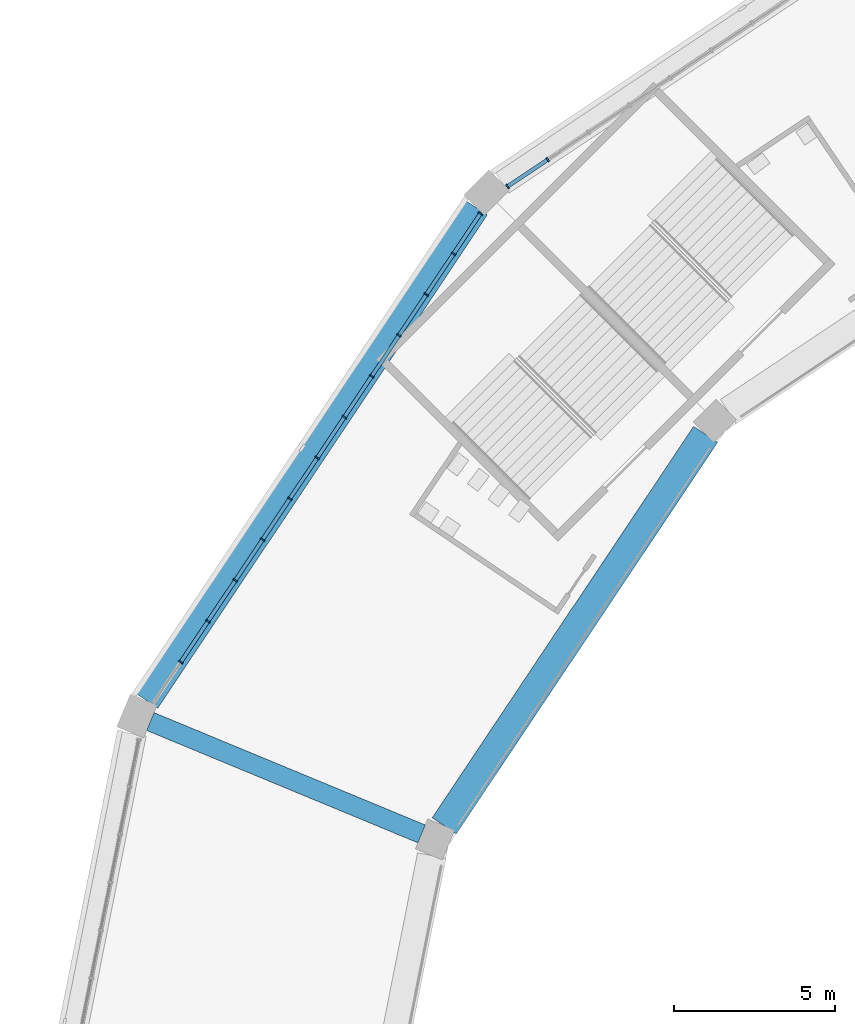
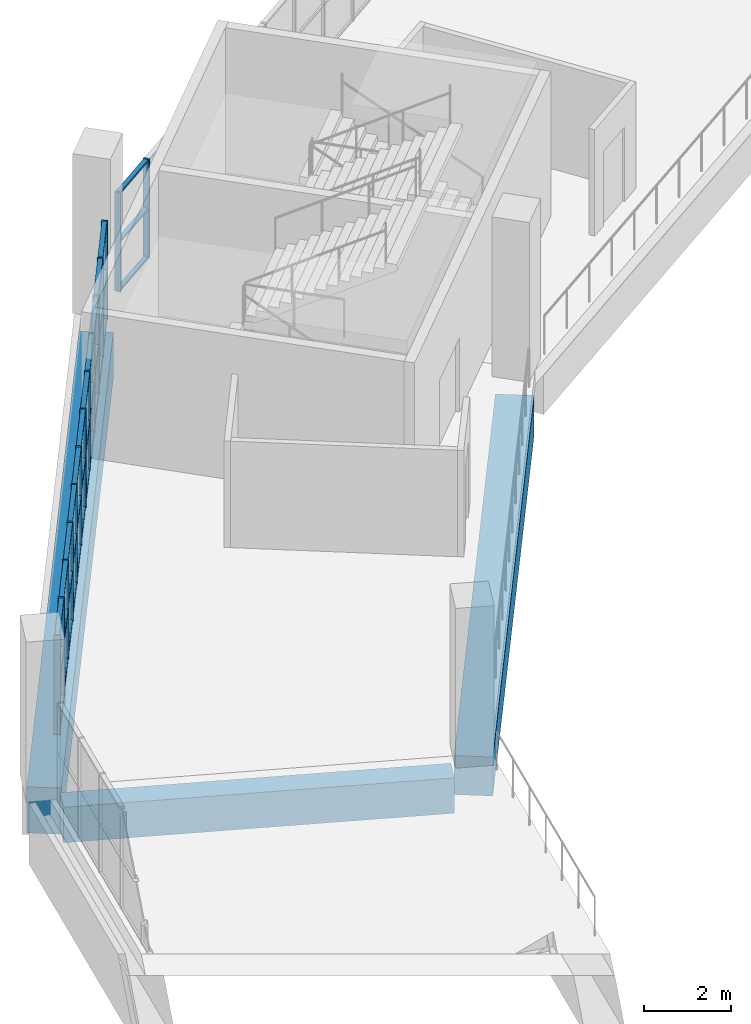
# One storey, part 29 of 177: 50 members, 3 beams, 2 elements without a shape of their own.
"""IFC4 building model written with IfcOpenShell, lengths in metres."""

from ifc_helpers import new_model, si_unit, direction, frame, origin, origin_2d, place, context, subcontext, project, spatial, rectangle, extrude, material, material_profile, profile_set, type_object, element, aggregate, save


model = new_model("IFC4")

# Units and contexts
model_context = context("Model", 3, precision=1e-05, world=origin(), true_north=direction((0.0, 1.0)))
body_context = subcontext(model_context, "Body", "Model", "MODEL_VIEW")
ifc_project = project(units=[si_unit("LENGTHUNIT", "METRE"), si_unit("AREAUNIT", "SQUARE_METRE"), si_unit("VOLUMEUNIT", "CUBIC_METRE"), si_unit("PLANEANGLEUNIT", "RADIAN"), si_unit("MASSUNIT", "GRAM", prefix="KILO")], contexts=[model_context])

# Site, building, storey
site_placement = place(None, origin())
site = spatial("IfcSite", under=ifc_project, at=site_placement, CompositionType="ELEMENT")
building_placement = place(site_placement, origin())
building = spatial("IfcBuilding", under=site, at=building_placement, Name="Ogive Plaza Stadium", CompositionType="ELEMENT")
storey_placement = place(building_placement, frame((0.0, 0.0, 18.0)))
storey = spatial("IfcBuildingStorey", under=building, at=storey_placement, Name="L04", CompositionType="ELEMENT", Elevation=18.0)

# Curtain wall, members
ifc_material_1 = material(Name="Bronze-anodised aluminium with laminated glass", Category="aluminium")
curtain_wall_type = type_object("IfcCurtainWallType", Name="Lancet curtain wall", PredefinedType="NOTDEFINED", material=ifc_material_1)
curtain_wall_1_placement = place(storey_placement, origin())
curtain_wall_1 = element("IfcCurtainWall", 1, at=curtain_wall_1_placement, inside=storey, type_object=curtain_wall_type, Name="CURTAIN WALL B29 L04", PredefinedType="NOTDEFINED")
ifc_material_2 = material(Name="Bronze-anodised aluminium", Category="aluminium")
ifc_material_profile_1 = material_profile(ifc_material_2, rectangle(XDim=0.14990234375, YDim=0.050048828125, at=origin_2d()), Name="AL 150x50")
ifc_profile_set_1 = profile_set([ifc_material_profile_1], Name="Bronze-anodised aluminium")
member_type_1 = type_object("IfcMemberType", Name="Curtain wall mullion 50x150", PredefinedType="MULLION", material=ifc_profile_set_1)
member_1_placement = place(storey_placement, frame((-78.837158203125, 73.3046875, 0.0), z_axis=(0.0, 0.0, 1.0), x_axis=(-0.831469612303, 0.55557023302, 0.0)))
member_1 = element("IfcMember", 2, at=member_1_placement, type_object=member_type_1, Name="CW-B29-L04 mullion 2", PredefinedType="MULLION", context=body_context, shape_type="SweptSolid", body=[
    extrude(rectangle(XDim=0.14990234375, YDim=0.050048828125, at=origin_2d()), origin(), (0.0, 0.0, 1.0), 2.7900390625),
])
member_2_placement = place(storey_placement, frame((-77.991455078125, 74.570556640625, 0.0), z_axis=(0.0, 0.0, 1.0), x_axis=(-0.831469612303, 0.55557023302, 0.0)))
member_2 = element("IfcMember", 3, at=member_2_placement, type_object=member_type_1, Name="CW-B29-L04 mullion 3", PredefinedType="MULLION", context=body_context, shape_type="SweptSolid", body=[
    extrude(rectangle(XDim=0.14990234375, YDim=0.050048828125, at=origin_2d()), origin(), (0.0, 0.0, 1.0), 2.7900390625),
])
member_3_placement = place(storey_placement, frame((-77.145751953125, 75.836181640625, 0.0), z_axis=(0.0, 0.0, 1.0), x_axis=(-0.831469612303, 0.55557023302, 0.0)))
member_3 = element("IfcMember", 4, at=member_3_placement, type_object=member_type_1, Name="CW-B29-L04 mullion 4", PredefinedType="MULLION", context=body_context, shape_type="SweptSolid", body=[
    extrude(rectangle(XDim=0.14990234375, YDim=0.050048828125, at=origin_2d()), origin(), (0.0, 0.0, 1.0), 2.7900390625),
])
member_4_placement = place(storey_placement, frame((-76.2998046875, 77.10205078125, 0.0), z_axis=(0.0, 0.0, 1.0), x_axis=(-0.831469612303, 0.55557023302, 0.0)))
member_4 = element("IfcMember", 5, at=member_4_placement, type_object=member_type_1, Name="CW-B29-L04 mullion 5", PredefinedType="MULLION", context=body_context, shape_type="SweptSolid", body=[
    extrude(rectangle(XDim=0.14990234375, YDim=0.050048828125, at=origin_2d()), origin(), (0.0, 0.0, 1.0), 2.7900390625),
])
member_5_placement = place(storey_placement, frame((-75.4541015625, 78.367919921875, 0.0), z_axis=(0.0, 0.0, 1.0), x_axis=(-0.831469612303, 0.55557023302, 0.0)))
member_5 = element("IfcMember", 6, at=member_5_placement, type_object=member_type_1, Name="CW-B29-L04 mullion 6", PredefinedType="MULLION", context=body_context, shape_type="SweptSolid", body=[
    extrude(rectangle(XDim=0.14990234375, YDim=0.050048828125, at=origin_2d()), origin(), (0.0, 0.0, 1.0), 2.7900390625),
])
member_6_placement = place(storey_placement, frame((-74.6083984375, 79.633544921875, 0.0), z_axis=(0.0, 0.0, 1.0), x_axis=(-0.831469612303, 0.55557023302, 0.0)))
member_6 = element("IfcMember", 7, at=member_6_placement, type_object=member_type_1, Name="CW-B29-L04 mullion 7", PredefinedType="MULLION", context=body_context, shape_type="SweptSolid", body=[
    extrude(rectangle(XDim=0.14990234375, YDim=0.050048828125, at=origin_2d()), origin(), (0.0, 0.0, 1.0), 2.7900390625),
])
member_7_placement = place(storey_placement, frame((-73.7626953125, 80.8994140625, 0.0), z_axis=(0.0, 0.0, 1.0), x_axis=(-0.831469612303, 0.55557023302, 0.0)))
member_7 = element("IfcMember", 8, at=member_7_placement, type_object=member_type_1, Name="CW-B29-L04 mullion 8", PredefinedType="MULLION", context=body_context, shape_type="SweptSolid", body=[
    extrude(rectangle(XDim=0.14990234375, YDim=0.050048828125, at=origin_2d()), origin(), (0.0, 0.0, 1.0), 2.7900390625),
])
member_8_placement = place(storey_placement, frame((-72.916748046875, 82.165283203125, 0.0), z_axis=(0.0, 0.0, 1.0), x_axis=(-0.831469612303, 0.55557023302, 0.0)))
member_8 = element("IfcMember", 9, at=member_8_placement, type_object=member_type_1, Name="CW-B29-L04 mullion 9", PredefinedType="MULLION", context=body_context, shape_type="SweptSolid", body=[
    extrude(rectangle(XDim=0.14990234375, YDim=0.050048828125, at=origin_2d()), origin(), (0.0, 0.0, 1.0), 2.7900390625),
])
member_9_placement = place(storey_placement, frame((-72.071044921875, 83.430908203125, 0.0), z_axis=(0.0, 0.0, 1.0), x_axis=(-0.831469612303, 0.55557023302, 0.0)))
member_9 = element("IfcMember", 10, at=member_9_placement, type_object=member_type_1, Name="CW-B29-L04 mullion 10", PredefinedType="MULLION", context=body_context, shape_type="SweptSolid", body=[
    extrude(rectangle(XDim=0.14990234375, YDim=0.050048828125, at=origin_2d()), origin(), (0.0, 0.0, 1.0), 2.7900390625),
])
member_10_placement = place(storey_placement, frame((-71.225341796875, 84.69677734375, 0.0), z_axis=(0.0, 0.0, 1.0), x_axis=(-0.831469612303, 0.55557023302, 0.0)))
member_10 = element("IfcMember", 11, at=member_10_placement, type_object=member_type_1, Name="CW-B29-L04 mullion 11", PredefinedType="MULLION", context=body_context, shape_type="SweptSolid", body=[
    extrude(rectangle(XDim=0.14990234375, YDim=0.050048828125, at=origin_2d()), origin(), (0.0, 0.0, 1.0), 2.7900390625),
])
member_11_placement = place(storey_placement, frame((-70.379638671875, 85.962646484375, 0.0), z_axis=(0.0, 0.0, 1.0), x_axis=(-0.831469612303, 0.55557023302, 0.0)))
member_11 = element("IfcMember", 12, at=member_11_placement, type_object=member_type_1, Name="CW-B29-L04 mullion 12", PredefinedType="MULLION", context=body_context, shape_type="SweptSolid", body=[
    extrude(rectangle(XDim=0.14990234375, YDim=0.050048828125, at=origin_2d()), origin(), (0.0, 0.0, 1.0), 2.7900390625),
])
member_12_placement = place(storey_placement, frame((-69.547607421875, 87.20751953125, 0.0), z_axis=(0.0, 0.0, 1.0), x_axis=(-0.831469612303, 0.55557023302, 0.0)))
member_12 = element("IfcMember", 13, at=member_12_placement, type_object=member_type_1, Name="CW-B29-L04 mullion 13", PredefinedType="MULLION", context=body_context, shape_type="SweptSolid", body=[
    extrude(rectangle(XDim=0.14990234375, YDim=0.050048828125, at=origin_2d()), origin(), (0.0, 0.0, 1.0), 2.7900390625),
])

curtain_wall_2_placement = place(storey_placement, origin())
curtain_wall_2 = element("IfcCurtainWall", 14, at=curtain_wall_2_placement, inside=storey, type_object=curtain_wall_type, Name="CURTAIN WALL B30 L04", PredefinedType="NOTDEFINED")
member_13_placement = place(storey_placement, frame((-68.70751953125, 88.047607421875, 0.0), z_axis=(0.0, 0.0, 1.0), x_axis=(-0.55557023302, 0.831469612303, 0.0)))
member_13 = element("IfcMember", 15, at=member_13_placement, type_object=member_type_1, Name="CW-B30-L04 mullion 1", PredefinedType="MULLION", context=body_context, shape_type="SweptSolid", body=[
    extrude(rectangle(XDim=0.14990234375, YDim=0.050048828125, at=origin_2d()), origin(), (0.0, 0.0, 1.0), 2.7900390625),
])
member_14_placement = place(storey_placement, frame((-67.462646484375, 88.879638671875, 0.0), z_axis=(0.0, 0.0, 1.0), x_axis=(-0.55557023302, 0.831469612303, 0.0)))
member_14 = element("IfcMember", 16, at=member_14_placement, type_object=member_type_1, Name="CW-B30-L04 mullion 2", PredefinedType="MULLION", context=body_context, shape_type="SweptSolid", body=[
    extrude(rectangle(XDim=0.14990234375, YDim=0.050048828125, at=origin_2d()), origin(), (0.0, 0.0, 1.0), 2.7900390625),
])

# Member
ifc_material_3 = material(Name="Bronze-anodised aluminium", Category="aluminium")
ifc_material_profile_2 = material_profile(ifc_material_3, rectangle(XDim=0.1201171875, YDim=0.050048828125, at=origin_2d()), Name="AL 120x50")
ifc_profile_set_2 = profile_set([ifc_material_profile_2], Name="Bronze-anodised aluminium")
member_type_2 = type_object("IfcMemberType", Name="Curtain wall transom 50x120", PredefinedType="USERDEFINED", material=ifc_profile_set_2)
member_15_placement = place(storey_placement, frame((-78.8232421875, 73.325439453125, 0.02490234375), z_axis=(0.555465240925, 0.83153975619, 0.0), x_axis=(-0.83153975619, 0.555465240925, 0.0)))
member_15 = element("IfcMember", 17, at=member_15_placement, type_object=member_type_2, Name="CW-B29-L04 transom 2.1", ObjectType="TRANSOM", PredefinedType="USERDEFINED", context=body_context, shape_type="SweptSolid", body=[
    extrude(rectangle(XDim=0.1201171875, YDim=0.050048828125, at=origin_2d()), origin(), (0.0, 0.0, 1.0), 1.472412109375),
])

member_16_placement = place(storey_placement, frame((-78.8232421875, 73.325439453125, 1.39501953125), z_axis=(0.555465240925, 0.83153975619, 0.0), x_axis=(-0.83153975619, 0.555465240925, 0.0)))
member_16 = element("IfcMember", 18, at=member_16_placement, type_object=member_type_2, Name="CW-B29-L04 transom 2.2", ObjectType="TRANSOM", PredefinedType="USERDEFINED", context=body_context, shape_type="SweptSolid", body=[
    extrude(rectangle(XDim=0.1201171875, YDim=0.050048828125, at=origin_2d()), origin(), (0.0, 0.0, 1.0), 1.472412109375),
])

member_17_placement = place(storey_placement, frame((-78.8232421875, 73.325439453125, 2.764892578125), z_axis=(0.555465240925, 0.83153975619, 0.0), x_axis=(-0.83153975619, 0.555465240925, 0.0)))
member_17 = element("IfcMember", 19, at=member_17_placement, type_object=member_type_2, Name="CW-B29-L04 transom 2.3", ObjectType="TRANSOM", PredefinedType="USERDEFINED", context=body_context, shape_type="SweptSolid", body=[
    extrude(rectangle(XDim=0.1201171875, YDim=0.050048828125, at=origin_2d()), origin(), (0.0, 0.0, 1.0), 1.472412109375),
])

member_18_placement = place(storey_placement, frame((-77.9775390625, 74.59130859375, 0.02490234375), z_axis=(0.555541835587, 0.831488586159, 0.0), x_axis=(-0.831488586159, 0.555541835587, 0.0)))
member_18 = element("IfcMember", 20, at=member_18_placement, type_object=member_type_2, Name="CW-B29-L04 transom 3.1", ObjectType="TRANSOM", PredefinedType="USERDEFINED", context=body_context, shape_type="SweptSolid", body=[
    extrude(rectangle(XDim=0.1201171875, YDim=0.050048828125, at=origin_2d()), origin(), (0.0, 0.0, 1.0), 1.47216796875),
])

member_19_placement = place(storey_placement, frame((-77.9775390625, 74.59130859375, 1.39501953125), z_axis=(0.555541835587, 0.831488586159, 0.0), x_axis=(-0.831488586159, 0.555541835587, 0.0)))
member_19 = element("IfcMember", 21, at=member_19_placement, type_object=member_type_2, Name="CW-B29-L04 transom 3.2", ObjectType="TRANSOM", PredefinedType="USERDEFINED", context=body_context, shape_type="SweptSolid", body=[
    extrude(rectangle(XDim=0.1201171875, YDim=0.050048828125, at=origin_2d()), origin(), (0.0, 0.0, 1.0), 1.47216796875),
])

member_20_placement = place(storey_placement, frame((-77.9775390625, 74.59130859375, 2.764892578125), z_axis=(0.555541835587, 0.831488586159, 0.0), x_axis=(-0.831488586159, 0.555541835587, 0.0)))
member_20 = element("IfcMember", 22, at=member_20_placement, type_object=member_type_2, Name="CW-B29-L04 transom 3.3", ObjectType="TRANSOM", PredefinedType="USERDEFINED", context=body_context, shape_type="SweptSolid", body=[
    extrude(rectangle(XDim=0.1201171875, YDim=0.050048828125, at=origin_2d()), origin(), (0.0, 0.0, 1.0), 1.47216796875),
])

member_21_placement = place(storey_placement, frame((-77.1318359375, 75.857177734375, 0.02490234375), z_axis=(0.555656472512, 0.831411982446, 0.0), x_axis=(-0.831411982446, 0.555656472512, 0.0)))
member_21 = element("IfcMember", 23, at=member_21_placement, type_object=member_type_2, Name="CW-B29-L04 transom 4.1", ObjectType="TRANSOM", PredefinedType="USERDEFINED", context=body_context, shape_type="SweptSolid", body=[
    extrude(rectangle(XDim=0.1201171875, YDim=0.050048828125, at=origin_2d()), origin(), (0.0, 0.0, 1.0), 1.472412109375),
])

member_22_placement = place(storey_placement, frame((-77.1318359375, 75.857177734375, 1.39501953125), z_axis=(0.555656472512, 0.831411982446, 0.0), x_axis=(-0.831411982446, 0.555656472512, 0.0)))
member_22 = element("IfcMember", 24, at=member_22_placement, type_object=member_type_2, Name="CW-B29-L04 transom 4.2", ObjectType="TRANSOM", PredefinedType="USERDEFINED", context=body_context, shape_type="SweptSolid", body=[
    extrude(rectangle(XDim=0.1201171875, YDim=0.050048828125, at=origin_2d()), origin(), (0.0, 0.0, 1.0), 1.472412109375),
])

member_23_placement = place(storey_placement, frame((-77.1318359375, 75.857177734375, 2.764892578125), z_axis=(0.555656472512, 0.831411982446, 0.0), x_axis=(-0.831411982446, 0.555656472512, 0.0)))
member_23 = element("IfcMember", 25, at=member_23_placement, type_object=member_type_2, Name="CW-B29-L04 transom 4.3", ObjectType="TRANSOM", PredefinedType="USERDEFINED", context=body_context, shape_type="SweptSolid", body=[
    extrude(rectangle(XDim=0.1201171875, YDim=0.050048828125, at=origin_2d()), origin(), (0.0, 0.0, 1.0), 1.472412109375),
])

member_24_placement = place(storey_placement, frame((-76.2861328125, 77.122802734375, 0.02490234375), z_axis=(0.555579876157, 0.831463168883, 0.0), x_axis=(-0.831463168883, 0.555579876157, 0.0)))
member_24 = element("IfcMember", 26, at=member_24_placement, type_object=member_type_2, Name="CW-B29-L04 transom 5.1", ObjectType="TRANSOM", PredefinedType="USERDEFINED", context=body_context, shape_type="SweptSolid", body=[
    extrude(rectangle(XDim=0.1201171875, YDim=0.050048828125, at=origin_2d()), origin(), (0.0, 0.0, 1.0), 1.47265625),
])

member_25_placement = place(storey_placement, frame((-76.2861328125, 77.122802734375, 1.39501953125), z_axis=(0.555579876157, 0.831463168883, 0.0), x_axis=(-0.831463168883, 0.555579876157, 0.0)))
member_25 = element("IfcMember", 27, at=member_25_placement, type_object=member_type_2, Name="CW-B29-L04 transom 5.2", ObjectType="TRANSOM", PredefinedType="USERDEFINED", context=body_context, shape_type="SweptSolid", body=[
    extrude(rectangle(XDim=0.1201171875, YDim=0.050048828125, at=origin_2d()), origin(), (0.0, 0.0, 1.0), 1.47265625),
])

member_26_placement = place(storey_placement, frame((-76.2861328125, 77.122802734375, 2.764892578125), z_axis=(0.555579876157, 0.831463168883, 0.0), x_axis=(-0.831463168883, 0.555579876157, 0.0)))
member_26 = element("IfcMember", 28, at=member_26_placement, type_object=member_type_2, Name="CW-B29-L04 transom 5.3", ObjectType="TRANSOM", PredefinedType="USERDEFINED", context=body_context, shape_type="SweptSolid", body=[
    extrude(rectangle(XDim=0.1201171875, YDim=0.050048828125, at=origin_2d()), origin(), (0.0, 0.0, 1.0), 1.47265625),
])

member_27_placement = place(storey_placement, frame((-75.440185546875, 78.388671875, 0.02490234375), z_axis=(0.555541835587, 0.831488586159, 0.0), x_axis=(-0.831488586159, 0.555541835587, 0.0)))
member_27 = element("IfcMember", 29, at=member_27_placement, type_object=member_type_2, Name="CW-B29-L04 transom 6.1", ObjectType="TRANSOM", PredefinedType="USERDEFINED", context=body_context, shape_type="SweptSolid", body=[
    extrude(rectangle(XDim=0.1201171875, YDim=0.050048828125, at=origin_2d()), origin(), (0.0, 0.0, 1.0), 1.47216796875),
])

member_28_placement = place(storey_placement, frame((-75.440185546875, 78.388671875, 1.39501953125), z_axis=(0.555541835587, 0.831488586159, 0.0), x_axis=(-0.831488586159, 0.555541835587, 0.0)))
member_28 = element("IfcMember", 30, at=member_28_placement, type_object=member_type_2, Name="CW-B29-L04 transom 6.2", ObjectType="TRANSOM", PredefinedType="USERDEFINED", context=body_context, shape_type="SweptSolid", body=[
    extrude(rectangle(XDim=0.1201171875, YDim=0.050048828125, at=origin_2d()), origin(), (0.0, 0.0, 1.0), 1.47216796875),
])

member_29_placement = place(storey_placement, frame((-75.440185546875, 78.388671875, 2.764892578125), z_axis=(0.555541835587, 0.831488586159, 0.0), x_axis=(-0.831488586159, 0.555541835587, 0.0)))
member_29 = element("IfcMember", 31, at=member_29_placement, type_object=member_type_2, Name="CW-B29-L04 transom 6.3", ObjectType="TRANSOM", PredefinedType="USERDEFINED", context=body_context, shape_type="SweptSolid", body=[
    extrude(rectangle(XDim=0.1201171875, YDim=0.050048828125, at=origin_2d()), origin(), (0.0, 0.0, 1.0), 1.47216796875),
])

member_30_placement = place(storey_placement, frame((-74.594482421875, 79.654541015625, 0.02490234375), z_axis=(0.555656472512, 0.831411982446, 0.0), x_axis=(-0.831411982446, 0.555656472512, 0.0)))
member_30 = element("IfcMember", 32, at=member_30_placement, type_object=member_type_2, Name="CW-B29-L04 transom 7.1", ObjectType="TRANSOM", PredefinedType="USERDEFINED", context=body_context, shape_type="SweptSolid", body=[
    extrude(rectangle(XDim=0.1201171875, YDim=0.050048828125, at=origin_2d()), origin(), (0.0, 0.0, 1.0), 1.472412109375),
])

member_31_placement = place(storey_placement, frame((-74.594482421875, 79.654541015625, 1.39501953125), z_axis=(0.555656472512, 0.831411982446, 0.0), x_axis=(-0.831411982446, 0.555656472512, 0.0)))
member_31 = element("IfcMember", 33, at=member_31_placement, type_object=member_type_2, Name="CW-B29-L04 transom 7.2", ObjectType="TRANSOM", PredefinedType="USERDEFINED", context=body_context, shape_type="SweptSolid", body=[
    extrude(rectangle(XDim=0.1201171875, YDim=0.050048828125, at=origin_2d()), origin(), (0.0, 0.0, 1.0), 1.472412109375),
])

member_32_placement = place(storey_placement, frame((-74.594482421875, 79.654541015625, 2.764892578125), z_axis=(0.555656472512, 0.831411982446, 0.0), x_axis=(-0.831411982446, 0.555656472512, 0.0)))
member_32 = element("IfcMember", 34, at=member_32_placement, type_object=member_type_2, Name="CW-B29-L04 transom 7.3", ObjectType="TRANSOM", PredefinedType="USERDEFINED", context=body_context, shape_type="SweptSolid", body=[
    extrude(rectangle(XDim=0.1201171875, YDim=0.050048828125, at=origin_2d()), origin(), (0.0, 0.0, 1.0), 1.472412109375),
])

member_33_placement = place(storey_placement, frame((-73.748779296875, 80.920166015625, 0.02490234375), z_axis=(0.555579876157, 0.831463168883, 0.0), x_axis=(-0.831463168883, 0.555579876157, 0.0)))
member_33 = element("IfcMember", 35, at=member_33_placement, type_object=member_type_2, Name="CW-B29-L04 transom 8.1", ObjectType="TRANSOM", PredefinedType="USERDEFINED", context=body_context, shape_type="SweptSolid", body=[
    extrude(rectangle(XDim=0.1201171875, YDim=0.050048828125, at=origin_2d()), origin(), (0.0, 0.0, 1.0), 1.47265625),
])

member_34_placement = place(storey_placement, frame((-73.748779296875, 80.920166015625, 1.39501953125), z_axis=(0.555579876157, 0.831463168883, 0.0), x_axis=(-0.831463168883, 0.555579876157, 0.0)))
member_34 = element("IfcMember", 36, at=member_34_placement, type_object=member_type_2, Name="CW-B29-L04 transom 8.2", ObjectType="TRANSOM", PredefinedType="USERDEFINED", context=body_context, shape_type="SweptSolid", body=[
    extrude(rectangle(XDim=0.1201171875, YDim=0.050048828125, at=origin_2d()), origin(), (0.0, 0.0, 1.0), 1.47265625),
])

member_35_placement = place(storey_placement, frame((-73.748779296875, 80.920166015625, 2.764892578125), z_axis=(0.555579876157, 0.831463168883, 0.0), x_axis=(-0.831463168883, 0.555579876157, 0.0)))
member_35 = element("IfcMember", 37, at=member_35_placement, type_object=member_type_2, Name="CW-B29-L04 transom 8.3", ObjectType="TRANSOM", PredefinedType="USERDEFINED", context=body_context, shape_type="SweptSolid", body=[
    extrude(rectangle(XDim=0.1201171875, YDim=0.050048828125, at=origin_2d()), origin(), (0.0, 0.0, 1.0), 1.47265625),
])

member_36_placement = place(storey_placement, frame((-72.90283203125, 82.18603515625, 0.02490234375), z_axis=(0.555541835587, 0.831488586159, 0.0), x_axis=(-0.831488586159, 0.555541835587, 0.0)))
member_36 = element("IfcMember", 38, at=member_36_placement, type_object=member_type_2, Name="CW-B29-L04 transom 9.1", ObjectType="TRANSOM", PredefinedType="USERDEFINED", context=body_context, shape_type="SweptSolid", body=[
    extrude(rectangle(XDim=0.1201171875, YDim=0.050048828125, at=origin_2d()), origin(), (0.0, 0.0, 1.0), 1.47216796875),
])

member_37_placement = place(storey_placement, frame((-72.90283203125, 82.18603515625, 1.39501953125), z_axis=(0.555541835587, 0.831488586159, 0.0), x_axis=(-0.831488586159, 0.555541835587, 0.0)))
member_37 = element("IfcMember", 39, at=member_37_placement, type_object=member_type_2, Name="CW-B29-L04 transom 9.2", ObjectType="TRANSOM", PredefinedType="USERDEFINED", context=body_context, shape_type="SweptSolid", body=[
    extrude(rectangle(XDim=0.1201171875, YDim=0.050048828125, at=origin_2d()), origin(), (0.0, 0.0, 1.0), 1.47216796875),
])

member_38_placement = place(storey_placement, frame((-72.90283203125, 82.18603515625, 2.764892578125), z_axis=(0.555541835587, 0.831488586159, 0.0), x_axis=(-0.831488586159, 0.555541835587, 0.0)))
member_38 = element("IfcMember", 40, at=member_38_placement, type_object=member_type_2, Name="CW-B29-L04 transom 9.3", ObjectType="TRANSOM", PredefinedType="USERDEFINED", context=body_context, shape_type="SweptSolid", body=[
    extrude(rectangle(XDim=0.1201171875, YDim=0.050048828125, at=origin_2d()), origin(), (0.0, 0.0, 1.0), 1.47216796875),
])

member_39_placement = place(storey_placement, frame((-72.05712890625, 83.45166015625, 0.02490234375), z_axis=(0.555465240925, 0.83153975619, 0.0), x_axis=(-0.83153975619, 0.555465240925, 0.0)))
member_39 = element("IfcMember", 41, at=member_39_placement, type_object=member_type_2, Name="CW-B29-L04 transom 10.1", ObjectType="TRANSOM", PredefinedType="USERDEFINED", context=body_context, shape_type="SweptSolid", body=[
    extrude(rectangle(XDim=0.1201171875, YDim=0.050048828125, at=origin_2d()), origin(), (0.0, 0.0, 1.0), 1.472412109375),
])

member_40_placement = place(storey_placement, frame((-72.05712890625, 83.45166015625, 1.39501953125), z_axis=(0.555465240925, 0.83153975619, 0.0), x_axis=(-0.83153975619, 0.555465240925, 0.0)))
member_40 = element("IfcMember", 42, at=member_40_placement, type_object=member_type_2, Name="CW-B29-L04 transom 10.2", ObjectType="TRANSOM", PredefinedType="USERDEFINED", context=body_context, shape_type="SweptSolid", body=[
    extrude(rectangle(XDim=0.1201171875, YDim=0.050048828125, at=origin_2d()), origin(), (0.0, 0.0, 1.0), 1.472412109375),
])

member_41_placement = place(storey_placement, frame((-72.05712890625, 83.45166015625, 2.764892578125), z_axis=(0.555465240925, 0.83153975619, 0.0), x_axis=(-0.83153975619, 0.555465240925, 0.0)))
member_41 = element("IfcMember", 43, at=member_41_placement, type_object=member_type_2, Name="CW-B29-L04 transom 10.3", ObjectType="TRANSOM", PredefinedType="USERDEFINED", context=body_context, shape_type="SweptSolid", body=[
    extrude(rectangle(XDim=0.1201171875, YDim=0.050048828125, at=origin_2d()), origin(), (0.0, 0.0, 1.0), 1.472412109375),
])

member_42_placement = place(storey_placement, frame((-71.21142578125, 84.717529296875, 0.02490234375), z_axis=(0.555656472512, 0.831411982446, 0.0), x_axis=(-0.831411982446, 0.555656472512, 0.0)))
member_42 = element("IfcMember", 44, at=member_42_placement, type_object=member_type_2, Name="CW-B29-L04 transom 11.1", ObjectType="TRANSOM", PredefinedType="USERDEFINED", context=body_context, shape_type="SweptSolid", body=[
    extrude(rectangle(XDim=0.1201171875, YDim=0.050048828125, at=origin_2d()), origin(), (0.0, 0.0, 1.0), 1.472412109375),
])

member_43_placement = place(storey_placement, frame((-71.21142578125, 84.717529296875, 1.39501953125), z_axis=(0.555656472512, 0.831411982446, 0.0), x_axis=(-0.831411982446, 0.555656472512, 0.0)))
member_43 = element("IfcMember", 45, at=member_43_placement, type_object=member_type_2, Name="CW-B29-L04 transom 11.2", ObjectType="TRANSOM", PredefinedType="USERDEFINED", context=body_context, shape_type="SweptSolid", body=[
    extrude(rectangle(XDim=0.1201171875, YDim=0.050048828125, at=origin_2d()), origin(), (0.0, 0.0, 1.0), 1.472412109375),
])

member_44_placement = place(storey_placement, frame((-71.21142578125, 84.717529296875, 2.764892578125), z_axis=(0.555656472512, 0.831411982446, 0.0), x_axis=(-0.831411982446, 0.555656472512, 0.0)))
member_44 = element("IfcMember", 46, at=member_44_placement, type_object=member_type_2, Name="CW-B29-L04 transom 11.3", ObjectType="TRANSOM", PredefinedType="USERDEFINED", context=body_context, shape_type="SweptSolid", body=[
    extrude(rectangle(XDim=0.1201171875, YDim=0.050048828125, at=origin_2d()), origin(), (0.0, 0.0, 1.0), 1.472412109375),
])

member_45_placement = place(storey_placement, frame((-70.36572265625, 85.9833984375, 0.02490234375), z_axis=(0.555634077892, 0.831426948977, 0.0), x_axis=(-0.831426948977, 0.555634077892, 0.0)))
member_45 = element("IfcMember", 47, at=member_45_placement, type_object=member_type_2, Name="CW-B29-L04 transom 12.1", ObjectType="TRANSOM", PredefinedType="USERDEFINED", context=body_context, shape_type="SweptSolid", body=[
    extrude(rectangle(XDim=0.1201171875, YDim=0.050048828125, at=origin_2d()), origin(), (0.0, 0.0, 1.0), 1.447265625),
])

member_46_placement = place(storey_placement, frame((-70.36572265625, 85.9833984375, 1.39501953125), z_axis=(0.555634077892, 0.831426948977, 0.0), x_axis=(-0.831426948977, 0.555634077892, 0.0)))
member_46 = element("IfcMember", 48, at=member_46_placement, type_object=member_type_2, Name="CW-B29-L04 transom 12.2", ObjectType="TRANSOM", PredefinedType="USERDEFINED", context=body_context, shape_type="SweptSolid", body=[
    extrude(rectangle(XDim=0.1201171875, YDim=0.050048828125, at=origin_2d()), origin(), (0.0, 0.0, 1.0), 1.447265625),
])

member_47_placement = place(storey_placement, frame((-70.36572265625, 85.9833984375, 2.764892578125), z_axis=(0.555634077892, 0.831426948977, 0.0), x_axis=(-0.831426948977, 0.555634077892, 0.0)))
member_47 = element("IfcMember", 49, at=member_47_placement, type_object=member_type_2, Name="CW-B29-L04 transom 12.3", ObjectType="TRANSOM", PredefinedType="USERDEFINED", context=body_context, shape_type="SweptSolid", body=[
    extrude(rectangle(XDim=0.1201171875, YDim=0.050048828125, at=origin_2d()), origin(), (0.0, 0.0, 1.0), 1.447265625),
])

aggregate(curtain_wall_1, [member_1, member_2, member_3, member_4, member_5, member_6, member_7, member_8, member_9, member_10, member_11, member_12, member_15, member_16, member_17, member_18, member_19, member_20, member_21, member_22, member_23, member_24, member_25, member_26, member_27, member_28, member_29, member_30, member_31, member_32, member_33, member_34, member_35, member_36, member_37, member_38, member_39, member_40, member_41, member_42, member_43, member_44, member_45, member_46, member_47])

member_48_placement = place(storey_placement, frame((-68.686767578125, 88.0615234375, 0.02490234375), z_axis=(0.831426948977, 0.555634077892, 0.0), x_axis=(-0.555634077892, 0.831426948977, 0.0)))
member_48 = element("IfcMember", 50, at=member_48_placement, type_object=member_type_2, Name="CW-B30-L04 transom 1.1", ObjectType="TRANSOM", PredefinedType="USERDEFINED", context=body_context, shape_type="SweptSolid", body=[
    extrude(rectangle(XDim=0.1201171875, YDim=0.050048828125, at=origin_2d()), origin(), (0.0, 0.0, 1.0), 1.447265625),
])

member_49_placement = place(storey_placement, frame((-68.686767578125, 88.0615234375, 1.39501953125), z_axis=(0.831426948977, 0.555634077892, 0.0), x_axis=(-0.555634077892, 0.831426948977, 0.0)))
member_49 = element("IfcMember", 51, at=member_49_placement, type_object=member_type_2, Name="CW-B30-L04 transom 1.2", ObjectType="TRANSOM", PredefinedType="USERDEFINED", context=body_context, shape_type="SweptSolid", body=[
    extrude(rectangle(XDim=0.1201171875, YDim=0.050048828125, at=origin_2d()), origin(), (0.0, 0.0, 1.0), 1.447265625),
])

member_50_placement = place(storey_placement, frame((-68.686767578125, 88.0615234375, 2.764892578125), z_axis=(0.831426948977, 0.555634077892, 0.0), x_axis=(-0.555634077892, 0.831426948977, 0.0)))
member_50 = element("IfcMember", 52, at=member_50_placement, type_object=member_type_2, Name="CW-B30-L04 transom 1.3", ObjectType="TRANSOM", PredefinedType="USERDEFINED", context=body_context, shape_type="SweptSolid", body=[
    extrude(rectangle(XDim=0.1201171875, YDim=0.050048828125, at=origin_2d()), origin(), (0.0, 0.0, 1.0), 1.447265625),
])

aggregate(curtain_wall_2, [member_13, member_14, member_48, member_49, member_50])

# Beams
ifc_material_4 = material(Name="Concrete C40/50", Category="concrete")
ifc_material_profile_3 = material_profile(ifc_material_4, rectangle(XDim=0.60009765625, YDim=1.0, at=origin_2d()), Name="RC 600x1000")
ifc_profile_set_3 = profile_set([ifc_material_profile_3], Name="Concrete C40/50")
beam_type_1 = type_object("IfcBeamType", Name="RC radial beam 600x1000", PredefinedType="BEAM", material=ifc_profile_set_3)
beam_1_placement = place(storey_placement, frame((-71.370849609375, 67.9794921875, -0.909912109375), z_axis=(-0.923882116707, 0.382677193504, 0.0), x_axis=(-0.382677193504, -0.923882116707, 0.0)))
element("IfcBeam", 53, at=beam_1_placement, inside=storey, type_object=beam_type_1, Name="Radial beam L04 R29 F4F5", PredefinedType="BEAM", context=body_context, shape_type="SweptSolid", body=[
    extrude(rectangle(XDim=0.60009765625, YDim=1.0, at=origin_2d()), origin(), (0.0, 0.0, 1.0), 9.10009765625),
])
ifc_material_5 = material(Name="Concrete C40/50", Category="concrete")
ifc_material_profile_4 = material_profile(ifc_material_5, rectangle(XDim=0.89990234375, YDim=1.10009765625, at=origin_2d()), Name="RC 900x1100")
ifc_profile_set_4 = profile_set([ifc_material_profile_4], Name="Concrete C40/50")
beam_type_2 = type_object("IfcBeamType", Name="RC ring beam 900x1100", PredefinedType="BEAM", material=ifc_profile_set_4)
beam_2_placement = place(storey_placement, frame((-70.671875, 68.231201171875, -0.9599609375), z_axis=(0.555572744827, 0.831467933961, 0.0), x_axis=(-0.831467933961, 0.555572744827, 0.0)))
element("IfcBeam", 54, at=beam_2_placement, inside=storey, type_object=beam_type_2, Name="Ring beam F4 L04 B29", PredefinedType="BEAM", context=body_context, shape_type="SweptSolid", body=[
    extrude(rectangle(XDim=0.89990234375, YDim=1.10009765625, at=origin_2d()), origin(), (0.0, 0.0, 1.0), 14.587646484375),
])
ifc_material_6 = material(Name="Concrete C40/50", Category="concrete")
ifc_material_profile_5 = material_profile(ifc_material_6, rectangle(XDim=0.800048828125, YDim=1.300048828125, at=origin_2d()), Name="RC 800x1300")
ifc_profile_set_5 = profile_set([ifc_material_profile_5], Name="Concrete C40/50")
beam_type_3 = type_object("IfcBeamType", Name="RC spandrel beam 800x1300", PredefinedType="SPANDREL", material=ifc_profile_set_5)
beam_3_placement = place(storey_placement, frame((-79.88232421875, 72.100341796875, -1.06005859375), z_axis=(0.555557833169, 0.831477897484, 0.0), x_axis=(-0.831477897484, 0.555557833169, 0.0)))
element("IfcBeam", 55, at=beam_3_placement, inside=storey, type_object=beam_type_3, Name="Ring beam F5 L04 B29", PredefinedType="SPANDREL", context=body_context, shape_type="SweptSolid", body=[
    extrude(rectangle(XDim=0.800048828125, YDim=1.300048828125, at=origin_2d()), origin(), (0.0, 0.0, 1.0), 18.387451171875),
])

save(model, "model.ifc")
